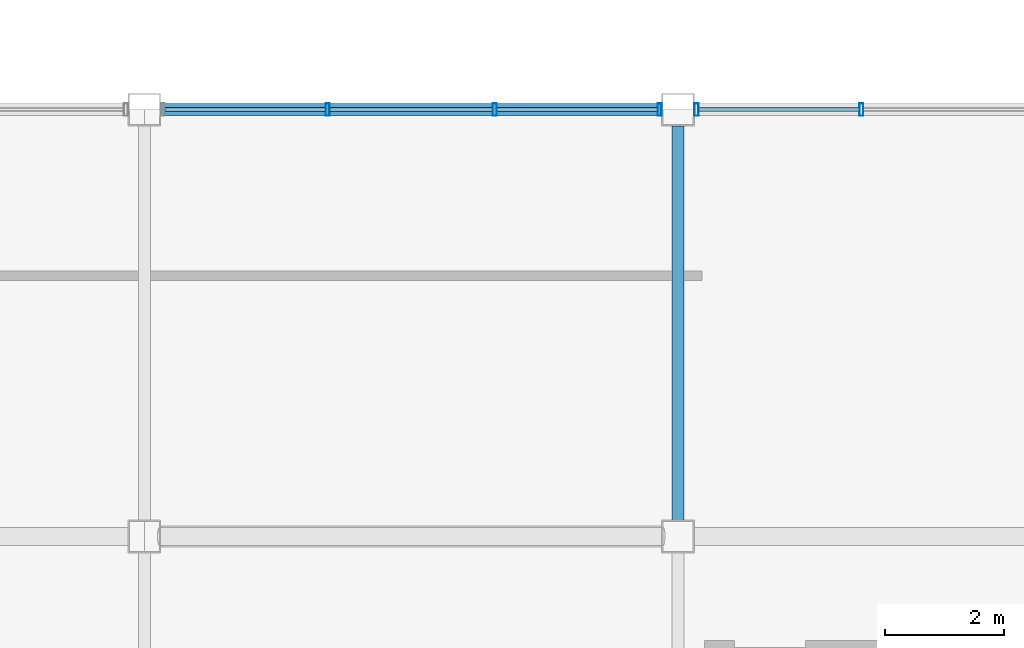
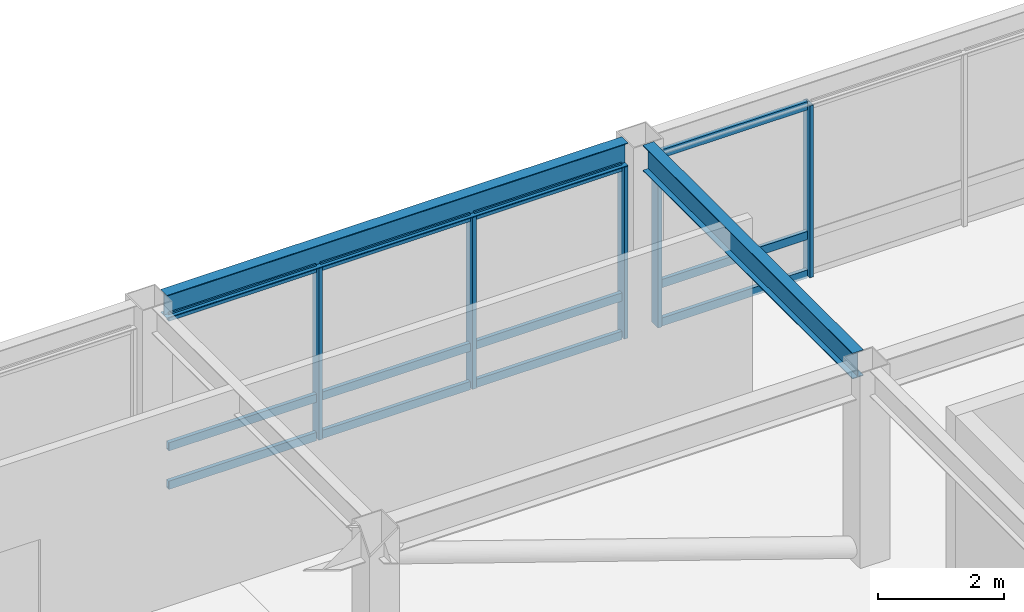
# One storey, part 42 of 113: 17 members, 2 beams, 2 elements without a shape of their own.
"""IFC4 building model written with IfcOpenShell, lengths in metres."""

from ifc_helpers import new_model, si_unit, direction, frame, origin, origin_2d, place, context, subcontext, project, spatial, hollow_rectangle, i_section, extrude, material, material_profile, profile_set, type_object, element, aggregate, save


model = new_model("IFC4")

# Units and contexts
model_context = context("Model", 3, precision=1e-05, world=origin(), true_north=direction((0.0, 1.0)))
body_context = subcontext(model_context, "Body", "Model", "MODEL_VIEW")
ifc_project = project(units=[si_unit("LENGTHUNIT", "METRE"), si_unit("AREAUNIT", "SQUARE_METRE"), si_unit("VOLUMEUNIT", "CUBIC_METRE"), si_unit("PLANEANGLEUNIT", "RADIAN"), si_unit("MASSUNIT", "GRAM", prefix="KILO")], contexts=[model_context])

# Site, building, storey
site_placement = place(None, origin())
site = spatial("IfcSite", under=ifc_project, at=site_placement, CompositionType="ELEMENT")
building_placement = place(site_placement, origin())
building = spatial("IfcBuilding", under=site, at=building_placement, Name="Kazanami Central Library", CompositionType="ELEMENT")
storey_placement = place(building_placement, frame((0.0, 0.0, 8.800048828125)))
storey = spatial("IfcBuildingStorey", under=building, at=storey_placement, Name="L03", CompositionType="ELEMENT", Elevation=8.800048828125)

# Beams
ifc_material_1 = material(Name="Steel SN490B (325 MPa)", Category="steel")
ifc_material_profile_1 = material_profile(ifc_material_1, i_section(OverallWidth=0.199951171875, OverallDepth=0.5, WebThickness=0.010009765625, FlangeThickness=0.01611328125, at=origin_2d()), Name="H-500x200x10x16")
ifc_profile_set_1 = profile_set([ifc_material_profile_1], Name="Steel SN490B (325 MPa)")
beam_type_1 = type_object("IfcBeamType", Name="BM-G-Y2", PredefinedType="BEAM", material=ifc_profile_set_1)
beam_1_placement = place(storey_placement, frame((72.0, 29.072998046875, 3.530029296875), z_axis=(0.0, 1.0, 0.0), x_axis=(-1.0, 0.0, 0.0)))
element("IfcBeam", 1, at=beam_1_placement, inside=storey, type_object=beam_type_1, Name="Girder G-Y2 L03 9/E-F", PredefinedType="BEAM", context=body_context, shape_type="SweptSolid", body=[
    extrude(i_section(OverallWidth=0.199951171875, OverallDepth=0.5, WebThickness=0.010009765625, FlangeThickness=0.01611328125, at=origin_2d()), origin(), (0.0, 0.0, 1.0), 6.654052734375),
])
ifc_material_profile_2 = material_profile(ifc_material_1, i_section(OverallWidth=0.199951171875, OverallDepth=0.449951171875, WebThickness=0.009033203125, FlangeThickness=0.013916015625, at=origin_2d()), Name="H-450x200x9x14")
ifc_profile_set_2 = profile_set([ifc_material_profile_2], Name="Steel SN490B (325 MPa)")
beam_type_2 = type_object("IfcBeamType", Name="BM-SP-2", PredefinedType="SPANDREL", material=ifc_profile_set_2)
beam_2_placement = place(storey_placement, frame((63.27294921875, 36.0, 3.554931640625), z_axis=(1.0, 0.0, 0.0), x_axis=(0.0, 1.0, 0.0)))
element("IfcBeam", 2, at=beam_2_placement, inside=storey, type_object=beam_type_2, Name="Girder SP-2 L03 F/8-9", PredefinedType="SPANDREL", context=body_context, shape_type="SweptSolid", body=[
    extrude(i_section(OverallWidth=0.199951171875, OverallDepth=0.449951171875, WebThickness=0.009033203125, FlangeThickness=0.013916015625, at=origin_2d()), origin(), (0.0, 0.0, 1.0), 8.4541015625),
])

# Curtain wall, members
ifc_material_2 = material(Name="Acid-Etched Low-E Laminated Glass", Category="glass")
curtain_wall_type = type_object("IfcCurtainWallType", Name="CW-8450x3330-M275", PredefinedType="USERDEFINED", material=ifc_material_2)
curtain_wall_1_placement = place(storey_placement, origin())
curtain_wall_1 = element("IfcCurtainWall", 3, at=curtain_wall_1_placement, inside=storey, type_object=curtain_wall_type, Name="Unitised Curtain Wall CW-25 L03 N-F-07", ObjectType="UNITISED CURTAIN WALL", PredefinedType="USERDEFINED")
ifc_material_3 = material(Name="Anodised Aluminium A6063-T5", Category="aluminium")
ifc_material_profile_3 = material_profile(ifc_material_3, hollow_rectangle(XDim=0.070068359375, YDim=0.2099609375, WallThickness=0.0048828125, at=origin_2d()), Name="ALU-MULL-70x210x5")
ifc_profile_set_3 = profile_set([ifc_material_profile_3], Name="Anodised Aluminium A6063-T5")
member_type_1 = type_object("IfcMemberType", Name="MEM-CW-M1", PredefinedType="MULLION", material=ifc_profile_set_3)
member_1_placement = place(storey_placement, frame((71.68994140625, 36.0, 0.0), z_axis=(0.0, 0.0, 1.0), x_axis=(-1.0, 0.0, 0.0)))
member_1 = element("IfcMember", 4, at=member_1_placement, type_object=member_type_1, Name="CW-25 mullion 1", PredefinedType="MULLION", context=body_context, shape_type="SweptSolid", body=[
    extrude(hollow_rectangle(XDim=0.070068359375, YDim=0.2099609375, WallThickness=0.0048828125, at=origin_2d()), origin(), (0.0, 0.0, 1.0), 3.329833984375),
])
member_2_placement = place(storey_placement, frame((68.908447265625, 36.0, 0.0), z_axis=(0.0, 0.0, 1.0), x_axis=(-1.0, 0.0, 0.0)))
member_2 = element("IfcMember", 5, at=member_2_placement, type_object=member_type_1, Name="CW-25 mullion 2", PredefinedType="MULLION", context=body_context, shape_type="SweptSolid", body=[
    extrude(hollow_rectangle(XDim=0.070068359375, YDim=0.2099609375, WallThickness=0.0048828125, at=origin_2d()), origin(), (0.0, 0.0, 1.0), 3.329833984375),
])
member_3_placement = place(storey_placement, frame((66.091552734375, 36.0, 0.0), z_axis=(0.0, 0.0, 1.0), x_axis=(-1.0, 0.0, 0.0)))
member_3 = element("IfcMember", 6, at=member_3_placement, type_object=member_type_1, Name="CW-25 mullion 3", PredefinedType="MULLION", context=body_context, shape_type="SweptSolid", body=[
    extrude(hollow_rectangle(XDim=0.070068359375, YDim=0.2099609375, WallThickness=0.0048828125, at=origin_2d()), origin(), (0.0, 0.0, 1.0), 3.329833984375),
])

curtain_wall_2_placement = place(storey_placement, origin())
curtain_wall_2 = element("IfcCurtainWall", 7, at=curtain_wall_2_placement, inside=storey, type_object=curtain_wall_type, Name="Unitised Curtain Wall CW-25 L03 N-F-08", ObjectType="UNITISED CURTAIN WALL", PredefinedType="USERDEFINED")
member_4_placement = place(storey_placement, frame((75.091552734375, 36.0, 0.0), z_axis=(0.0, 0.0, 1.0), x_axis=(-1.0, 0.0, 0.0)))
member_4 = element("IfcMember", 8, at=member_4_placement, type_object=member_type_1, Name="CW-25 mullion 3", PredefinedType="MULLION", context=body_context, shape_type="SweptSolid", body=[
    extrude(hollow_rectangle(XDim=0.070068359375, YDim=0.2099609375, WallThickness=0.0048828125, at=origin_2d()), origin(), (0.0, 0.0, 1.0), 3.329833984375),
])
member_5_placement = place(storey_placement, frame((72.31005859375, 36.0, 0.0), z_axis=(0.0, 0.0, 1.0), x_axis=(-1.0, 0.0, 0.0)))
member_5 = element("IfcMember", 9, at=member_5_placement, type_object=member_type_1, Name="CW-25 mullion 4", PredefinedType="MULLION", context=body_context, shape_type="SweptSolid", body=[
    extrude(hollow_rectangle(XDim=0.070068359375, YDim=0.2099609375, WallThickness=0.0048828125, at=origin_2d()), origin(), (0.0, 0.0, 1.0), 3.329833984375),
])

# Member
ifc_material_profile_4 = material_profile(ifc_material_3, hollow_rectangle(XDim=0.070068359375, YDim=0.159912109375, WallThickness=0.00390625, at=origin_2d()), Name="ALU-TRAN-70x160x4")
ifc_profile_set_4 = profile_set([ifc_material_profile_4], Name="Anodised Aluminium A6063-T5")
member_type_2 = type_object("IfcMemberType", Name="MEM-CW-T1", PredefinedType="USERDEFINED", material=ifc_profile_set_4)
member_6_placement = place(storey_placement, frame((71.655029296875, 36.0, 0.034912109375), z_axis=(-1.0, 0.0, 0.0), x_axis=(0.0, -1.0, 0.0)))
member_6 = element("IfcMember", 10, at=member_6_placement, type_object=member_type_2, Name="CW-25 transom 1.1", ObjectType="TRANSOM", PredefinedType="USERDEFINED", context=body_context, shape_type="SweptSolid", body=[
    extrude(hollow_rectangle(XDim=0.070068359375, YDim=0.159912109375, WallThickness=0.00390625, at=origin_2d()), origin(), (0.0, 0.0, 1.0), 2.711669921875),
])

member_7_placement = place(storey_placement, frame((71.655029296875, 36.0, 0.780029296875), z_axis=(-1.0, 0.0, 0.0), x_axis=(0.0, -1.0, 0.0)))
member_7 = element("IfcMember", 11, at=member_7_placement, type_object=member_type_2, Name="CW-25 transom 1.2", ObjectType="TRANSOM", PredefinedType="USERDEFINED", context=body_context, shape_type="SweptSolid", body=[
    extrude(hollow_rectangle(XDim=0.070068359375, YDim=0.159912109375, WallThickness=0.00390625, at=origin_2d()), origin(), (0.0, 0.0, 1.0), 2.711669921875),
])

member_8_placement = place(storey_placement, frame((71.655029296875, 36.0, 3.294921875), z_axis=(-1.0, 0.0, 0.0), x_axis=(0.0, -1.0, 0.0)))
member_8 = element("IfcMember", 12, at=member_8_placement, type_object=member_type_2, Name="CW-25 transom 1.3", ObjectType="TRANSOM", PredefinedType="USERDEFINED", context=body_context, shape_type="SweptSolid", body=[
    extrude(hollow_rectangle(XDim=0.070068359375, YDim=0.159912109375, WallThickness=0.00390625, at=origin_2d()), origin(), (0.0, 0.0, 1.0), 2.711669921875),
])

member_9_placement = place(storey_placement, frame((68.873291015625, 36.0, 0.034912109375), z_axis=(-1.0, 0.0, 0.0), x_axis=(0.0, -1.0, 0.0)))
member_9 = element("IfcMember", 13, at=member_9_placement, type_object=member_type_2, Name="CW-25 transom 2.1", ObjectType="TRANSOM", PredefinedType="USERDEFINED", context=body_context, shape_type="SweptSolid", body=[
    extrude(hollow_rectangle(XDim=0.070068359375, YDim=0.159912109375, WallThickness=0.00390625, at=origin_2d()), origin(), (0.0, 0.0, 1.0), 2.74658203125),
])

member_10_placement = place(storey_placement, frame((68.873291015625, 36.0, 0.780029296875), z_axis=(-1.0, 0.0, 0.0), x_axis=(0.0, -1.0, 0.0)))
member_10 = element("IfcMember", 14, at=member_10_placement, type_object=member_type_2, Name="CW-25 transom 2.2", ObjectType="TRANSOM", PredefinedType="USERDEFINED", context=body_context, shape_type="SweptSolid", body=[
    extrude(hollow_rectangle(XDim=0.070068359375, YDim=0.159912109375, WallThickness=0.00390625, at=origin_2d()), origin(), (0.0, 0.0, 1.0), 2.74658203125),
])

member_11_placement = place(storey_placement, frame((68.873291015625, 36.0, 3.294921875), z_axis=(-1.0, 0.0, 0.0), x_axis=(0.0, -1.0, 0.0)))
member_11 = element("IfcMember", 15, at=member_11_placement, type_object=member_type_2, Name="CW-25 transom 2.3", ObjectType="TRANSOM", PredefinedType="USERDEFINED", context=body_context, shape_type="SweptSolid", body=[
    extrude(hollow_rectangle(XDim=0.070068359375, YDim=0.159912109375, WallThickness=0.00390625, at=origin_2d()), origin(), (0.0, 0.0, 1.0), 2.74658203125),
])

member_12_placement = place(storey_placement, frame((66.056640625, 36.0, 0.034912109375), z_axis=(-1.0, 0.0, 0.0), x_axis=(0.0, -1.0, 0.0)))
member_12 = element("IfcMember", 16, at=member_12_placement, type_object=member_type_2, Name="CW-25 transom 3.1", ObjectType="TRANSOM", PredefinedType="USERDEFINED", context=body_context, shape_type="SweptSolid", body=[
    extrude(hollow_rectangle(XDim=0.070068359375, YDim=0.159912109375, WallThickness=0.00390625, at=origin_2d()), origin(), (0.0, 0.0, 1.0), 2.711669921875),
])

member_13_placement = place(storey_placement, frame((66.056640625, 36.0, 0.780029296875), z_axis=(-1.0, 0.0, 0.0), x_axis=(0.0, -1.0, 0.0)))
member_13 = element("IfcMember", 17, at=member_13_placement, type_object=member_type_2, Name="CW-25 transom 3.2", ObjectType="TRANSOM", PredefinedType="USERDEFINED", context=body_context, shape_type="SweptSolid", body=[
    extrude(hollow_rectangle(XDim=0.070068359375, YDim=0.159912109375, WallThickness=0.00390625, at=origin_2d()), origin(), (0.0, 0.0, 1.0), 2.711669921875),
])

member_14_placement = place(storey_placement, frame((66.056640625, 36.0, 3.294921875), z_axis=(-1.0, 0.0, 0.0), x_axis=(0.0, -1.0, 0.0)))
member_14 = element("IfcMember", 18, at=member_14_placement, type_object=member_type_2, Name="CW-25 transom 3.3", ObjectType="TRANSOM", PredefinedType="USERDEFINED", context=body_context, shape_type="SweptSolid", body=[
    extrude(hollow_rectangle(XDim=0.070068359375, YDim=0.159912109375, WallThickness=0.00390625, at=origin_2d()), origin(), (0.0, 0.0, 1.0), 2.711669921875),
])

aggregate(curtain_wall_1, [member_1, member_2, member_3, member_6, member_7, member_8, member_9, member_10, member_11, member_12, member_13, member_14])

member_15_placement = place(storey_placement, frame((75.056640625, 36.0, 0.034912109375), z_axis=(-1.0, 0.0, 0.0), x_axis=(0.0, -1.0, 0.0)))
member_15 = element("IfcMember", 19, at=member_15_placement, type_object=member_type_2, Name="CW-25 transom 3.1", ObjectType="TRANSOM", PredefinedType="USERDEFINED", context=body_context, shape_type="SweptSolid", body=[
    extrude(hollow_rectangle(XDim=0.070068359375, YDim=0.159912109375, WallThickness=0.00390625, at=origin_2d()), origin(), (0.0, 0.0, 1.0), 2.711669921875),
])

member_16_placement = place(storey_placement, frame((75.056640625, 36.0, 0.780029296875), z_axis=(-1.0, 0.0, 0.0), x_axis=(0.0, -1.0, 0.0)))
member_16 = element("IfcMember", 20, at=member_16_placement, type_object=member_type_2, Name="CW-25 transom 3.2", ObjectType="TRANSOM", PredefinedType="USERDEFINED", context=body_context, shape_type="SweptSolid", body=[
    extrude(hollow_rectangle(XDim=0.070068359375, YDim=0.159912109375, WallThickness=0.00390625, at=origin_2d()), origin(), (0.0, 0.0, 1.0), 2.711669921875),
])

member_17_placement = place(storey_placement, frame((75.056640625, 36.0, 3.294921875), z_axis=(-1.0, 0.0, 0.0), x_axis=(0.0, -1.0, 0.0)))
member_17 = element("IfcMember", 21, at=member_17_placement, type_object=member_type_2, Name="CW-25 transom 3.3", ObjectType="TRANSOM", PredefinedType="USERDEFINED", context=body_context, shape_type="SweptSolid", body=[
    extrude(hollow_rectangle(XDim=0.070068359375, YDim=0.159912109375, WallThickness=0.00390625, at=origin_2d()), origin(), (0.0, 0.0, 1.0), 2.711669921875),
])

aggregate(curtain_wall_2, [member_4, member_5, member_15, member_16, member_17])

save(model, "model.ifc")
